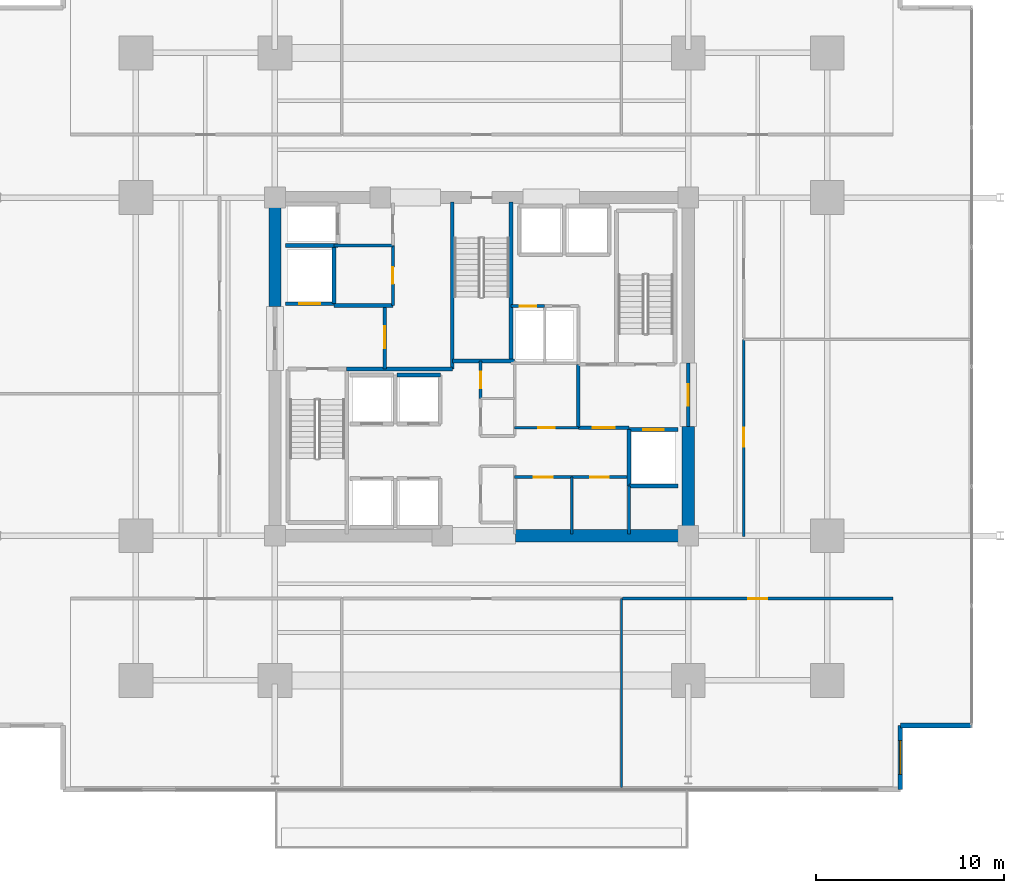
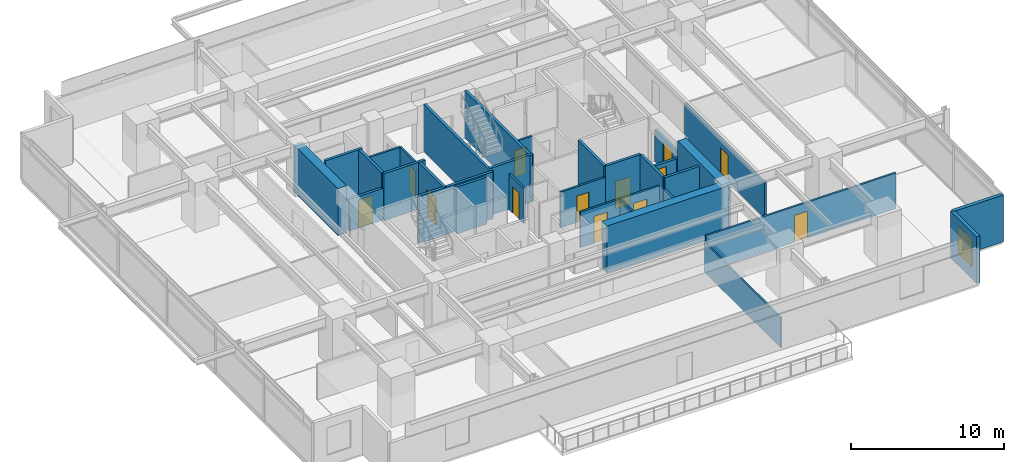
# One storey, part 16 of 22: 33 walls, 13 doors, 1 window, 14 openings.
"""IFC4 building model written with IfcOpenShell, lengths in metres."""

from ifc_helpers import new_model, si_unit, direction, frame, frame_2d, origin, place, context, subcontext, project, spatial, rectangle, extrude, material, layer, layer_set, type_object, element, fill, save


model = new_model("IFC4")

# Units and contexts
model_context = context("Model", 3, precision=1e-05, world=origin(), true_north=direction((0.0, 1.0)))
body_context = subcontext(model_context, "Body", "Model", "MODEL_VIEW")
ifc_project = project(units=[si_unit("LENGTHUNIT", "METRE"), si_unit("AREAUNIT", "SQUARE_METRE"), si_unit("VOLUMEUNIT", "CUBIC_METRE"), si_unit("PLANEANGLEUNIT", "RADIAN"), si_unit("MASSUNIT", "GRAM", prefix="KILO")], contexts=[model_context])

# Site, building, storey
site_placement = place(None, origin())
site = spatial("IfcSite", under=ifc_project, at=site_placement, CompositionType="ELEMENT")
building_placement = place(site_placement, origin())
building = spatial("IfcBuilding", under=site, at=building_placement, Name="Kovane Verandah Tower", CompositionType="ELEMENT")
storey_placement = place(building_placement, frame((0.0, 0.0, 71.60009765625)))
storey = spatial("IfcBuildingStorey", under=building, at=storey_placement, Name="L16", CompositionType="ELEMENT", Elevation=71.60009765625)

# Wall, opening, door
ifc_material_1 = material(Name="Fire-Rated Gypsum Stud Partition", Category="gypsum")
ifc_layer_1 = layer(ifc_material_1, 0.14990234375)
ifc_layer_set_1 = layer_set([ifc_layer_1], Name="Fire-Rated Gypsum Stud Partition")
wall_type_1 = type_object("IfcWallType", Name="WL-COR-150", PredefinedType="PARTITIONING", material=ifc_layer_set_1)
wall_1_placement = place(storey_placement, frame((39.949951171875, 25.800048828125, 0.0), z_axis=(0.0, 0.0, 1.0), x_axis=(0.0, 1.0, 0.0)))
wall_1 = element("IfcWall", 1, at=wall_1_placement, inside=storey, type_object=wall_type_1, Name="L16 Electrical Riser Room Partition", PredefinedType="PARTITIONING", context=body_context, shape_type="SweptSolid", body=[
    extrude(rectangle(XDim=2.0, YDim=0.14990234375, at=frame_2d((1.0, 0.0))), origin(), (0.0, 0.0, 1.0), 2.849853515625),
])
opening_1_placement = place(wall_1_placement, frame((0.56005859375, 0.0, 0.0)))
opening_1 = element("IfcOpeningElement", 2, at=opening_1_placement, cuts=wall_1, Name="Opening DR-L16-025", PredefinedType="OPENING", context=body_context, shape_type="SweptSolid", body=[
    extrude(rectangle(XDim=0.8798828125, YDim=2.10009765625, at=frame_2d((0.43994140625, 1.050048828125))), frame((0.0, 0.074951171875, 0.0), z_axis=(0.0, -1.0, 0.0), x_axis=(1.0, 0.0, 0.0)), (0.0, 0.0, 1.0), 0.14990234375),
])
ifc_material_2 = material(Name="Fire-Rated Steel Riser Access Door", Category="steel")
door_type_1 = type_object("IfcDoorType", Name="DR-RISER-880", OperationType="SINGLE_SWING_LEFT", PredefinedType="DOOR", material=ifc_material_2)
door_1_placement = place(opening_1_placement, origin())
door_1 = element("IfcDoor", 3, at=door_1_placement, inside=storey, type_object=door_type_1, Name="L16 Electrical Riser Room Door", OperationType="SINGLE_SWING_LEFT", OverallHeight=2.10009765625, OverallWidth=0.8798828125, PredefinedType="DOOR", context=body_context, shape_type="SweptSolid", body=[
    extrude(rectangle(XDim=0.8798828125, YDim=2.10009765625, at=frame_2d((0.43994140625, 1.050048828125))), frame((0.0, 0.02490234375, 0.0), z_axis=(0.0, -1.0, 0.0), x_axis=(1.0, 0.0, 0.0)), (0.0, 0.0, 1.0), 0.050048828125),
])
fill(opening_1, door_1)

# Wall
wall_2_placement = place(storey_placement, frame((32.14990234375, 33.949951171875, 0.0), z_axis=(0.0, 0.0, 1.0), x_axis=(1.0, 0.0, 0.0)))
element("IfcWall", 4, at=wall_2_placement, inside=storey, type_object=wall_type_1, Name="L16 Goods Lift Lobby South Wall", PredefinedType="PARTITIONING", context=body_context, shape_type="SweptSolid", body=[
    extrude(rectangle(XDim=3.130126953125, YDim=0.14990234375, at=frame_2d((1.56494140625, 0.0))), origin(), (0.0, 0.0, 1.0), 2.849853515625),
])

# Wall, opening, door
wall_3_placement = place(storey_placement, frame((35.280029296875, 30.75, 0.0), z_axis=(0.0, 0.0, 1.0), x_axis=(0.0, 1.0, 0.0)))
wall_3 = element("IfcWall", 5, at=wall_3_placement, inside=storey, type_object=wall_type_1, Name="L16 Accessible Unisex Toilet Partition", PredefinedType="PARTITIONING", context=body_context, shape_type="SweptSolid", body=[
    extrude(rectangle(XDim=3.199951171875, YDim=0.14990234375, at=frame_2d((1.60009765625, 0.0))), origin(), (0.0, 0.0, 1.0), 2.849853515625),
])
opening_2_placement = place(wall_3_placement, frame((1.14990234375, 0.0, 0.0)))
opening_2 = element("IfcOpeningElement", 6, at=opening_2_placement, cuts=wall_3, Name="Opening DR-L16-026", PredefinedType="OPENING", context=body_context, shape_type="SweptSolid", body=[
    extrude(rectangle(XDim=0.89990234375, YDim=2.10009765625, at=frame_2d((0.449951171875, 1.050048828125))), frame((0.0, 0.074951171875, 0.0), z_axis=(0.0, -1.0, 0.0), x_axis=(1.0, 0.0, 0.0)), (0.0, 0.0, 1.0), 0.14990234375),
])
ifc_material_3 = material(Name="Moisture-Resistant Laminate Washroom Door", Category="wood")
door_type_2 = type_object("IfcDoorType", Name="DR-WC-900", OperationType="SINGLE_SWING_LEFT", PredefinedType="DOOR", material=ifc_material_3)
door_2_placement = place(opening_2_placement, origin())
door_2 = element("IfcDoor", 7, at=door_2_placement, inside=storey, type_object=door_type_2, Name="L16 Accessible Unisex Toilet Door", OperationType="SINGLE_SWING_LEFT", OverallHeight=2.10009765625, OverallWidth=0.89990234375, PredefinedType="DOOR", context=body_context, shape_type="SweptSolid", body=[
    extrude(rectangle(XDim=0.89990234375, YDim=2.10009765625, at=frame_2d((0.449951171875, 1.050048828125))), frame((0.0, 0.02490234375, 0.0), z_axis=(0.0, -1.0, 0.0), x_axis=(1.0, 0.0, 0.0)), (0.0, 0.0, 1.0), 0.050048828125),
])
fill(opening_2, door_2)

# Wall
wall_4_placement = place(storey_placement, frame((47.85009765625, 18.60009765625, 0.0), z_axis=(0.0, 0.0, 1.0), x_axis=(0.0, 1.0, 0.0)))
element("IfcWall", 8, at=wall_4_placement, inside=storey, type_object=wall_type_1, Name="L16 East Core Support East Wall", PredefinedType="PARTITIONING", context=body_context, shape_type="SweptSolid", body=[
    extrude(rectangle(XDim=2.539794921875, YDim=0.14990234375, at=frame_2d((1.27001953125, 0.0))), origin(), (0.0, 0.0, 1.0), 2.849853515625),
])

# Wall, opening, door
wall_5_placement = place(storey_placement, frame((41.760009765625, 21.6201171875, 0.0), z_axis=(0.0, 0.0, 1.0), x_axis=(1.0, 0.0, 0.0)))
wall_5 = element("IfcWall", 9, at=wall_5_placement, inside=storey, type_object=wall_type_1, Name="L16 AV Control Room Partition", PredefinedType="PARTITIONING", context=body_context, shape_type="SweptSolid", body=[
    extrude(rectangle(XDim=3.0400390625, YDim=0.14990234375, at=frame_2d((1.52001953125, 0.0))), origin(), (0.0, 0.0, 1.0), 2.849853515625),
])
opening_3_placement = place(wall_5_placement, frame((1.02001953125, 0.0, 0.0)))
opening_3 = element("IfcOpeningElement", 10, at=opening_3_placement, cuts=wall_5, Name="Opening DR-L16-014", PredefinedType="OPENING", context=body_context, shape_type="SweptSolid", body=[
    extrude(rectangle(XDim=1.0, YDim=2.14990234375, at=frame_2d((0.5, 1.074951171875))), frame((0.0, 0.074951171875, 0.0), z_axis=(0.0, -1.0, 0.0), x_axis=(1.0, 0.0, 0.0)), (0.0, 0.0, 1.0), 0.14990234375),
])
ifc_material_4 = material(Name="FSC Spotted-Gum Timber Fire-Rated Office Door", Category="wood")
door_type_3 = type_object("IfcDoorType", Name="DR-OFF-1000", OperationType="SINGLE_SWING_LEFT", PredefinedType="DOOR", material=ifc_material_4)
door_3_placement = place(opening_3_placement, origin())
door_3 = element("IfcDoor", 11, at=door_3_placement, inside=storey, type_object=door_type_3, Name="L16 AV Control Room Door", OperationType="SINGLE_SWING_RIGHT", OverallHeight=2.14990234375, OverallWidth=1.0, PredefinedType="DOOR", context=body_context, shape_type="SweptSolid", body=[
    extrude(rectangle(XDim=1.0, YDim=2.14990234375, at=frame_2d((0.5, 1.074951171875))), frame((0.0, 0.02490234375, 0.0), z_axis=(0.0, -1.0, 0.0), x_axis=(1.0, 0.0, 0.0)), (0.0, 0.0, 1.0), 0.050048828125),
])
fill(opening_3, door_3)

wall_6_placement = place(storey_placement, frame((44.800048828125, 21.6201171875, 0.0), z_axis=(0.0, 0.0, 1.0), x_axis=(1.0, 0.0, 0.0)))
wall_6 = element("IfcWall", 12, at=wall_6_placement, inside=storey, type_object=wall_type_1, Name="L16 East IT Server Room Partition", PredefinedType="PARTITIONING", context=body_context, shape_type="SweptSolid", body=[
    extrude(rectangle(XDim=2.93994140625, YDim=0.14990234375, at=frame_2d((1.469970703125, 0.0))), origin(), (0.0, 0.0, 1.0), 2.849853515625),
])
opening_4_placement = place(wall_6_placement, frame((0.969970703125, 0.0, 0.0)))
opening_4 = element("IfcOpeningElement", 13, at=opening_4_placement, cuts=wall_6, Name="Opening DR-L16-015", PredefinedType="OPENING", context=body_context, shape_type="SweptSolid", body=[
    extrude(rectangle(XDim=1.0, YDim=2.14990234375, at=frame_2d((0.5, 1.074951171875))), frame((0.0, 0.074951171875, 0.0), z_axis=(0.0, -1.0, 0.0), x_axis=(1.0, 0.0, 0.0)), (0.0, 0.0, 1.0), 0.14990234375),
])
door_4_placement = place(opening_4_placement, origin())
door_4 = element("IfcDoor", 14, at=door_4_placement, inside=storey, type_object=door_type_3, Name="L16 East IT Server Room Door", OperationType="SINGLE_SWING_LEFT", OverallHeight=2.14990234375, OverallWidth=1.0, PredefinedType="DOOR", context=body_context, shape_type="SweptSolid", body=[
    extrude(rectangle(XDim=1.0, YDim=2.14990234375, at=frame_2d((0.5, 1.074951171875))), frame((0.0, 0.02490234375, 0.0), z_axis=(0.0, -1.0, 0.0), x_axis=(1.0, 0.0, 0.0)), (0.0, 0.0, 1.0), 0.050048828125),
])
fill(opening_4, door_4)

wall_7_placement = place(storey_placement, frame((41.760009765625, 24.25, 0.0), z_axis=(0.0, 0.0, 1.0), x_axis=(1.0, 0.0, 0.0)))
wall_7 = element("IfcWall", 15, at=wall_7_placement, inside=storey, type_object=wall_type_1, Name="L16 Cleaner Store Partition", PredefinedType="PARTITIONING", context=body_context, shape_type="SweptSolid", body=[
    extrude(rectangle(XDim=3.389892578125, YDim=0.14990234375, at=frame_2d((1.69482421875, 0.0))), origin(), (0.0, 0.0, 1.0), 2.849853515625),
])
opening_5_placement = place(wall_7_placement, frame((1.2548828125, 0.0, 0.0)))
opening_5 = element("IfcOpeningElement", 16, at=opening_5_placement, cuts=wall_7, Name="Opening DR-L16-016", PredefinedType="OPENING", context=body_context, shape_type="SweptSolid", body=[
    extrude(rectangle(XDim=0.8798828125, YDim=2.10009765625, at=frame_2d((0.43994140625, 1.050048828125))), frame((0.0, 0.074951171875, 0.0), z_axis=(0.0, -1.0, 0.0), x_axis=(1.0, 0.0, 0.0)), (0.0, 0.0, 1.0), 0.14990234375),
])
door_5_placement = place(opening_5_placement, origin())
door_5 = element("IfcDoor", 17, at=door_5_placement, inside=storey, type_object=door_type_1, Name="L16 Cleaner Store Door", OperationType="SINGLE_SWING_RIGHT", OverallHeight=2.10009765625, OverallWidth=0.8798828125, PredefinedType="DOOR", context=body_context, shape_type="SweptSolid", body=[
    extrude(rectangle(XDim=0.8798828125, YDim=2.10009765625, at=frame_2d((0.43994140625, 1.050048828125))), frame((0.0, 0.02490234375, 0.0), z_axis=(0.0, -1.0, 0.0), x_axis=(1.0, 0.0, 0.0)), (0.0, 0.0, 1.0), 0.050048828125),
])
fill(opening_5, door_5)

wall_8_placement = place(storey_placement, frame((41.56005859375, 30.719970703125, 0.0), z_axis=(0.0, 0.0, 1.0), x_axis=(1.0, 0.0, 0.0)))
wall_8 = element("IfcWall", 18, at=wall_8_placement, inside=storey, type_object=wall_type_1, Name="L16 Chilled Water Riser Room Partition", PredefinedType="PARTITIONING", context=body_context, shape_type="SweptSolid", body=[
    extrude(rectangle(XDim=1.800048828125, YDim=0.14990234375, at=frame_2d((0.89990234375, 0.0))), origin(), (0.0, 0.0, 1.0), 2.849853515625),
])
opening_6_placement = place(wall_8_placement, frame((0.4599609375, 0.0, 0.0)))
opening_6 = element("IfcOpeningElement", 19, at=opening_6_placement, cuts=wall_8, Name="Opening DR-L16-017", PredefinedType="OPENING", context=body_context, shape_type="SweptSolid", body=[
    extrude(rectangle(XDim=0.8798828125, YDim=2.10009765625, at=frame_2d((0.43994140625, 1.050048828125))), frame((0.0, 0.074951171875, 0.0), z_axis=(0.0, -1.0, 0.0), x_axis=(1.0, 0.0, 0.0)), (0.0, 0.0, 1.0), 0.14990234375),
])
door_6_placement = place(opening_6_placement, origin())
door_6 = element("IfcDoor", 20, at=door_6_placement, inside=storey, type_object=door_type_1, Name="L16 Chilled Water Riser Room Door", OperationType="SINGLE_SWING_LEFT", OverallHeight=2.10009765625, OverallWidth=0.8798828125, PredefinedType="DOOR", context=body_context, shape_type="SweptSolid", body=[
    extrude(rectangle(XDim=0.8798828125, YDim=2.10009765625, at=frame_2d((0.43994140625, 1.050048828125))), frame((0.0, 0.02490234375, 0.0), z_axis=(0.0, -1.0, 0.0), x_axis=(1.0, 0.0, 0.0)), (0.0, 0.0, 1.0), 0.050048828125),
])
fill(opening_6, door_6)

wall_9_placement = place(storey_placement, frame((47.511474609375, 15.14990234375, 0.0), z_axis=(0.0, 0.0, 1.0), x_axis=(1.0, 0.0, 0.0)))
wall_9 = element("IfcWall", 21, at=wall_9_placement, inside=storey, type_object=wall_type_1, Name="L16 Open Plan Office S3 Corridor Partition", PredefinedType="PARTITIONING", context=body_context, shape_type="SweptSolid", body=[
    extrude(rectangle(XDim=14.375, YDim=0.14990234375, at=frame_2d((7.1875, 0.0))), origin(), (0.0, 0.0, 1.0), 2.849853515625),
])
opening_7_placement = place(wall_9_placement, frame((6.6875, 0.0, 0.0)))
opening_7 = element("IfcOpeningElement", 22, at=opening_7_placement, cuts=wall_9, Name="Opening DR-L16-024", PredefinedType="OPENING", context=body_context, shape_type="SweptSolid", body=[
    extrude(rectangle(XDim=1.0, YDim=2.14990234375, at=frame_2d((0.5, 1.074951171875))), frame((0.0, 0.074951171875, 0.0), z_axis=(0.0, -1.0, 0.0), x_axis=(1.0, 0.0, 0.0)), (0.0, 0.0, 1.0), 0.14990234375),
])
door_7_placement = place(opening_7_placement, origin())
door_7 = element("IfcDoor", 23, at=door_7_placement, inside=storey, type_object=door_type_3, Name="L16 Open Plan Office S3 Entrance Door", OperationType="SINGLE_SWING_RIGHT", OverallHeight=2.14990234375, OverallWidth=1.0, PredefinedType="DOOR", context=body_context, shape_type="SweptSolid", body=[
    extrude(rectangle(XDim=1.0, YDim=2.14990234375, at=frame_2d((0.5, 1.074951171875))), frame((0.0, 0.02490234375, 0.0), z_axis=(0.0, -1.0, 0.0), x_axis=(1.0, 0.0, 0.0)), (0.0, 0.0, 1.0), 0.050048828125),
])
fill(opening_7, door_7)

wall_10_placement = place(storey_placement, frame((53.949951171875, 18.449951171875, 0.0), z_axis=(0.0, 0.0, 1.0), x_axis=(0.0, 1.0, 0.0)))
wall_10 = element("IfcWall", 24, at=wall_10_placement, inside=storey, type_object=wall_type_1, Name="L16 Meeting Room E1 Corridor Partition", PredefinedType="PARTITIONING", context=body_context, shape_type="SweptSolid", body=[
    extrude(rectangle(XDim=10.498046875, YDim=0.14990234375, at=frame_2d((5.2490234375, 0.0))), origin(), (0.0, 0.0, 1.0), 2.849853515625),
])
opening_8_placement = place(wall_10_placement, frame((4.7890625, 0.0, 0.0)))
opening_8 = element("IfcOpeningElement", 25, at=opening_8_placement, cuts=wall_10, Name="Opening DR-L16-012", PredefinedType="OPENING", context=body_context, shape_type="SweptSolid", body=[
    extrude(rectangle(XDim=1.0, YDim=2.14990234375, at=frame_2d((0.5, 1.074951171875))), frame((0.0, 0.074951171875, 0.0), z_axis=(0.0, -1.0, 0.0), x_axis=(1.0, 0.0, 0.0)), (0.0, 0.0, 1.0), 0.14990234375),
])
door_8_placement = place(opening_8_placement, origin())
door_8 = element("IfcDoor", 26, at=door_8_placement, inside=storey, type_object=door_type_3, Name="L16 Meeting Room E1 Entrance Door", OperationType="SINGLE_SWING_LEFT", OverallHeight=2.14990234375, OverallWidth=1.0, PredefinedType="DOOR", context=body_context, shape_type="SweptSolid", body=[
    extrude(rectangle(XDim=1.0, YDim=2.14990234375, at=frame_2d((0.5, 1.074951171875))), frame((0.0, 0.02490234375, 0.0), z_axis=(0.0, -1.0, 0.0), x_axis=(1.0, 0.0, 0.0)), (0.0, 0.0, 1.0), 0.050048828125),
])
fill(opening_8, door_8)

# Walls
ifc_material_5 = material(Name="Concrete C80/95", Category="concrete")
ifc_layer_2 = layer(ifc_material_5, 0.64990234375)
ifc_layer_set_2 = layer_set([ifc_layer_2], Name="Concrete C80/95")
wall_type_2 = type_object("IfcWallType", Name="WL-CORE-650", PredefinedType="SHEAR", material=ifc_layer_set_2)
wall_11_placement = place(storey_placement, frame((41.800048828125, 18.5, 0.0), z_axis=(0.0, 0.0, 1.0), x_axis=(1.0, 0.0, 0.0)))
element("IfcWall", 27, at=wall_11_placement, inside=storey, type_object=wall_type_2, Name="L16 Core Shear Wall CS-2", PredefinedType="SHEAR", context=body_context, shape_type="SweptSolid", body=[
    extrude(rectangle(XDim=9.199951171875, YDim=0.64990234375, at=frame_2d((4.60009765625, 0.0))), origin(), (0.0, 0.0, 1.0), 3.760009765625),
])
for number, where, z_axis, x_axis, name in (
    (28, (29.0, 30.699951171875, 0.0), (0.0, 0.0, 1.0), (0.0, 1.0, 0.0), "L16 Core Shear Wall CW-2"),
    (29, (51.0, 18.5, 0.0), (0.0, 0.0, 1.0), (0.0, 1.0, 0.0), "L16 Core Shear Wall CE-1"),
):
    element("IfcWall", number, at=place(storey_placement, frame(where, z_axis=z_axis, x_axis=x_axis)), inside=storey, type_object=wall_type_2, Name=name, PredefinedType="SHEAR", context=body_context, shape_type="SweptSolid", body=[
        extrude(rectangle(XDim=5.800048828125, YDim=0.64990234375, at=frame_2d((2.89990234375, 0.0))), origin(), (0.0, 0.0, 1.0), 3.760009765625),
    ])

# Wall, opening, door
ifc_material_6 = material(Name="Concrete C45/55 Fire Wall", Category="concrete")
ifc_layer_3 = layer(ifc_material_6, 0.199951171875)
ifc_layer_set_3 = layer_set([ifc_layer_3], Name="Concrete C45/55 Fire Wall")
wall_type_3 = type_object("IfcWallType", Name="WL-FFL-200", PredefinedType="PARTITIONING", material=ifc_layer_set_3)
wall_12_placement = place(storey_placement, frame((34.85009765625, 27.3798828125, 0.0), z_axis=(0.0, 0.0, 1.0), x_axis=(0.0, 1.0, 0.0)))
wall_12 = element("IfcWall", 30, at=wall_12_placement, inside=storey, type_object=wall_type_3, Name="W-L16-FFLW-E", PredefinedType="PARTITIONING", context=body_context, shape_type="SweptSolid", body=[
    extrude(rectangle(XDim=3.3701171875, YDim=0.199951171875, at=frame_2d((1.68505859375, 0.0))), origin(), (0.0, 0.0, 1.0), 3.760009765625),
])
opening_9_placement = place(wall_12_placement, frame((1.110107421875, 0.0, 0.0)))
opening_9 = element("IfcOpeningElement", 31, at=opening_9_placement, cuts=wall_12, Name="Opening DR-L16-006", PredefinedType="OPENING", context=body_context, shape_type="SweptSolid", body=[
    extrude(rectangle(XDim=1.14990234375, YDim=2.199951171875, at=frame_2d((0.574951171875, 1.10009765625))), frame((0.0, 0.10009765625, 0.0), z_axis=(0.0, -1.0, 0.0), x_axis=(1.0, 0.0, 0.0)), (0.0, 0.0, 1.0), 0.199951171875),
])
ifc_material_7 = material(Name="Smoke-Sealed Firefighting Lobby Door", Category="steel")
door_type_4 = type_object("IfcDoorType", Name="DR-FFL-1150", OperationType="SINGLE_SWING_LEFT", PredefinedType="DOOR", material=ifc_material_7)
door_9_placement = place(opening_9_placement, origin())
door_9 = element("IfcDoor", 32, at=door_9_placement, inside=storey, type_object=door_type_4, Name="L16 West Firefighting Lobby Inner Door", OperationType="SINGLE_SWING_LEFT", OverallHeight=2.199951171875, OverallWidth=1.14990234375, PredefinedType="DOOR", context=body_context, shape_type="SweptSolid", body=[
    extrude(rectangle(XDim=1.14990234375, YDim=2.199951171875, at=frame_2d((0.574951171875, 1.10009765625))), frame((0.0, 0.02490234375, 0.0), z_axis=(0.0, -1.0, 0.0), x_axis=(1.0, 0.0, 0.0)), (0.0, 0.0, 1.0), 0.050048828125),
])
fill(opening_9, door_9)

# Walls
wall_13_placement = place(storey_placement, frame((32.820068359375, 27.3798828125, 0.0), z_axis=(0.0, 0.0, 1.0), x_axis=(1.0, 0.0, 0.0)))
element("IfcWall", 33, at=wall_13_placement, inside=storey, type_object=wall_type_3, Name="L16 West Firefighting Lobby South Fire Wall", PredefinedType="PARTITIONING", context=body_context, shape_type="SweptSolid", body=[
    extrude(rectangle(XDim=5.619873046875, YDim=0.199951171875, at=frame_2d((2.81005859375, 0.0))), origin(), (0.0, 0.0, 1.0), 3.760009765625),
])
wall_14_placement = place(storey_placement, frame((32.14990234375, 30.75, 0.0), z_axis=(0.0, 0.0, 1.0), x_axis=(1.0, 0.0, 0.0)))
element("IfcWall", 34, at=wall_14_placement, inside=storey, type_object=wall_type_3, Name="L16 West Firefighting Lobby North Fire Wall", PredefinedType="PARTITIONING", context=body_context, shape_type="SweptSolid", body=[
    extrude(rectangle(XDim=3.130126953125, YDim=0.199951171875, at=frame_2d((1.56494140625, 0.0))), origin(), (0.0, 0.0, 1.0), 3.760009765625),
])
wall_15_placement = place(storey_placement, frame((45.14990234375, 24.25, 0.0), z_axis=(0.0, 0.0, 1.0), x_axis=(0.0, 1.0, 0.0)))
element("IfcWall", 35, at=wall_15_placement, inside=storey, type_object=wall_type_3, Name="L16 East Firefighting Lobby West Fire Wall", PredefinedType="PARTITIONING", context=body_context, shape_type="SweptSolid", body=[
    extrude(rectangle(XDim=3.3701171875, YDim=0.199951171875, at=frame_2d((1.68505859375, 0.0))), origin(), (0.0, 0.0, 1.0), 3.760009765625),
])

# Wall, opening, door
wall_16_placement = place(storey_placement, frame((45.14990234375, 24.25, 0.0), z_axis=(0.0, 0.0, 1.0), x_axis=(1.0, 0.0, 0.0)))
wall_16 = element("IfcWall", 36, at=wall_16_placement, inside=storey, type_object=wall_type_3, Name="W-L16-FFLE-S", PredefinedType="PARTITIONING", context=body_context, shape_type="SweptSolid", body=[
    extrude(rectangle(XDim=2.7001953125, YDim=0.199951171875, at=frame_2d((1.35009765625, 0.0))), origin(), (0.0, 0.0, 1.0), 3.760009765625),
])
opening_10_placement = place(wall_16_placement, frame((0.77490234375, 0.0, 0.0)))
opening_10 = element("IfcOpeningElement", 37, at=opening_10_placement, cuts=wall_16, Name="Opening DR-L16-003", PredefinedType="OPENING", context=body_context, shape_type="SweptSolid", body=[
    extrude(rectangle(XDim=1.14990234375, YDim=2.199951171875, at=frame_2d((0.574951171875, 1.10009765625))), frame((0.0, 0.10009765625, 0.0), z_axis=(0.0, -1.0, 0.0), x_axis=(1.0, 0.0, 0.0)), (0.0, 0.0, 1.0), 0.199951171875),
])
door_10_placement = place(opening_10_placement, origin())
door_10 = element("IfcDoor", 38, at=door_10_placement, inside=storey, type_object=door_type_4, Name="L16 East Firefighting Lobby Inner Door", OperationType="SINGLE_SWING_RIGHT", OverallHeight=2.199951171875, OverallWidth=1.14990234375, PredefinedType="DOOR", context=body_context, shape_type="SweptSolid", body=[
    extrude(rectangle(XDim=1.14990234375, YDim=2.199951171875, at=frame_2d((0.574951171875, 1.10009765625))), frame((0.0, 0.02490234375, 0.0), z_axis=(0.0, -1.0, 0.0), x_axis=(1.0, 0.0, 0.0)), (0.0, 0.0, 1.0), 0.050048828125),
])
fill(opening_10, door_10)

wall_17_placement = place(storey_placement, frame((51.0, 24.300048828125, 0.0), z_axis=(0.0, 0.0, 1.0), x_axis=(0.0, 1.0, 0.0)))
wall_17 = element("IfcWall", 39, at=wall_17_placement, inside=storey, type_object=wall_type_3, Name="W-L16-FFLE-OUT", PredefinedType="PARTITIONING", context=body_context, shape_type="SweptSolid", body=[
    extrude(rectangle(XDim=3.39990234375, YDim=0.199951171875, at=frame_2d((1.699951171875, 0.0))), origin(), (0.0, 0.0, 1.0), 2.539794921875),
])
opening_11_placement = place(wall_17_placement, frame((1.125, 0.0, 0.0)))
opening_11 = element("IfcOpeningElement", 40, at=opening_11_placement, cuts=wall_17, Name="Opening DR-L16-005", PredefinedType="OPENING", context=body_context, shape_type="SweptSolid", body=[
    extrude(rectangle(XDim=1.14990234375, YDim=2.199951171875, at=frame_2d((0.574951171875, 1.10009765625))), frame((0.0, 0.10009765625, 0.0), z_axis=(0.0, -1.0, 0.0), x_axis=(1.0, 0.0, 0.0)), (0.0, 0.0, 1.0), 0.199951171875),
])
door_11_placement = place(opening_11_placement, origin())
door_11 = element("IfcDoor", 41, at=door_11_placement, inside=storey, type_object=door_type_4, Name="L16 East Firefighting Lobby Corridor Door", OperationType="SINGLE_SWING_LEFT", OverallHeight=2.199951171875, OverallWidth=1.14990234375, PredefinedType="DOOR", context=body_context, shape_type="SweptSolid", body=[
    extrude(rectangle(XDim=1.14990234375, YDim=2.199951171875, at=frame_2d((0.574951171875, 1.10009765625))), frame((0.0, 0.02490234375, 0.0), z_axis=(0.0, -1.0, 0.0), x_axis=(1.0, 0.0, 0.0)), (0.0, 0.0, 1.0), 0.050048828125),
])
fill(opening_11, door_11)

ifc_material_8 = material(Name="Concrete C45/55 Lift Shaft Wall", Category="concrete")
ifc_layer_4 = layer(ifc_material_8, 0.199951171875)
ifc_layer_set_4 = layer_set([ifc_layer_4], Name="Concrete C45/55 Lift Shaft Wall")
wall_type_4 = type_object("IfcWallType", Name="WL-LIFT-200", PredefinedType="SOLIDWALL", material=ifc_layer_set_4)
wall_18_placement = place(storey_placement, frame((29.550048828125, 30.85009765625, 0.0), z_axis=(0.0, 0.0, 1.0), x_axis=(1.0, 0.0, 0.0)))
wall_18 = element("IfcWall", 42, at=wall_18_placement, inside=storey, type_object=wall_type_4, Name="L16 Lift FL-01 S Shaft Wall", PredefinedType="SOLIDWALL", context=body_context, shape_type="SweptSolid", body=[
    extrude(rectangle(XDim=2.599853515625, YDim=0.199951171875, at=frame_2d((1.2998046875, 0.0))), origin(), (0.0, 0.0, 1.0), 2.539794921875),
])
opening_12_placement = place(wall_18_placement, frame((0.75, 0.0, 0.0)))
opening_12 = element("IfcOpeningElement", 43, at=opening_12_placement, cuts=wall_18, Name="Opening LD-L16-001", PredefinedType="OPENING", context=body_context, shape_type="SweptSolid", body=[
    extrude(rectangle(XDim=1.10009765625, YDim=2.199951171875, at=frame_2d((0.550048828125, 1.10009765625))), frame((0.0, 0.10009765625, 0.0), z_axis=(0.0, -1.0, 0.0), x_axis=(1.0, 0.0, 0.0)), (0.0, 0.0, 1.0), 0.199951171875),
])
ifc_material_9 = material(Name="Brushed Stainless Steel Sliding Lift Landing Door", Category="steel")
door_type_5 = type_object("IfcDoorType", Name="DR-LIFT-1100", OperationType="SLIDING_TO_RIGHT", PredefinedType="DOOR", material=ifc_material_9)
door_12_placement = place(opening_12_placement, origin())
door_12 = element("IfcDoor", 44, at=door_12_placement, inside=storey, type_object=door_type_5, Name="L16 Lift FL-01 Sliding Landing Door", OperationType="SLIDING_TO_RIGHT", OverallHeight=2.199951171875, OverallWidth=1.10009765625, PredefinedType="DOOR", context=body_context, shape_type="SweptSolid", body=[
    extrude(rectangle(XDim=1.10009765625, YDim=2.199951171875, at=frame_2d((0.550048828125, 1.10009765625))), frame((0.0, 0.02490234375, 0.0), z_axis=(0.0, -1.0, 0.0), x_axis=(1.0, 0.0, 0.0)), (0.0, 0.0, 1.0), 0.050048828125),
])
fill(opening_12, door_12)

# Walls
wall_19_placement = place(storey_placement, frame((29.550048828125, 33.949951171875, 0.0), z_axis=(0.0, 0.0, 1.0), x_axis=(1.0, 0.0, 0.0)))
element("IfcWall", 45, at=wall_19_placement, inside=storey, type_object=wall_type_4, Name="L16 Lift FL-01 and GL-01 Shared Shaft Wall", PredefinedType="SOLIDWALL", context=body_context, shape_type="SweptSolid", body=[
    extrude(rectangle(XDim=2.800048828125, YDim=0.199951171875, at=frame_2d((1.39990234375, 0.0))), origin(), (0.0, 0.0, 1.0), 3.760009765625),
])
wall_20_placement = place(storey_placement, frame((32.14990234375, 30.85009765625, 0.0), z_axis=(0.0, 0.0, 1.0), x_axis=(0.0, 1.0, 0.0)))
element("IfcWall", 46, at=wall_20_placement, inside=storey, type_object=wall_type_4, Name="L16 Lift FL-01 E Shaft Wall", PredefinedType="SOLIDWALL", context=body_context, shape_type="SweptSolid", body=[
    extrude(rectangle(XDim=3.0, YDim=0.199951171875, at=frame_2d((1.5, 0.0))), origin(), (0.0, 0.0, 1.0), 3.760009765625),
])
wall_21_placement = place(storey_placement, frame((47.85009765625, 21.14990234375, 0.0), z_axis=(0.0, 0.0, 1.0), x_axis=(1.0, 0.0, 0.0)))
element("IfcWall", 47, at=wall_21_placement, inside=storey, type_object=wall_type_4, Name="L16 Lift FL-02 S Shaft Wall", PredefinedType="SOLIDWALL", context=body_context, shape_type="SweptSolid", body=[
    extrude(rectangle(XDim=2.599853515625, YDim=0.199951171875, at=frame_2d((1.2998046875, 0.0))), origin(), (0.0, 0.0, 1.0), 3.760009765625),
])

# Wall, opening, door
wall_22_placement = place(storey_placement, frame((50.449951171875, 24.14990234375, 0.0), z_axis=(0.0, 0.0, 1.0), x_axis=(-1.0, 0.0, 0.0)))
wall_22 = element("IfcWall", 48, at=wall_22_placement, inside=storey, type_object=wall_type_4, Name="L16 Lift FL-02 N Shaft Wall", PredefinedType="SOLIDWALL", context=body_context, shape_type="SweptSolid", body=[
    extrude(rectangle(XDim=2.599853515625, YDim=0.199951171875, at=frame_2d((1.2998046875, 0.0))), origin(), (0.0, 0.0, 1.0), 2.539794921875),
])
opening_13_placement = place(wall_22_placement, frame((0.75, 0.0, 0.0)))
opening_13 = element("IfcOpeningElement", 49, at=opening_13_placement, cuts=wall_22, Name="Opening LD-L16-002", PredefinedType="OPENING", context=body_context, shape_type="SweptSolid", body=[
    extrude(rectangle(XDim=1.10009765625, YDim=2.199951171875, at=frame_2d((0.550048828125, 1.10009765625))), frame((0.0, 0.10009765625, 0.0), z_axis=(0.0, -1.0, 0.0), x_axis=(1.0, 0.0, 0.0)), (0.0, 0.0, 1.0), 0.199951171875),
])
door_13_placement = place(opening_13_placement, origin())
door_13 = element("IfcDoor", 50, at=door_13_placement, inside=storey, type_object=door_type_5, Name="L16 Lift FL-02 Sliding Landing Door", OperationType="SLIDING_TO_RIGHT", OverallHeight=2.199951171875, OverallWidth=1.10009765625, PredefinedType="DOOR", context=body_context, shape_type="SweptSolid", body=[
    extrude(rectangle(XDim=1.10009765625, YDim=2.199951171875, at=frame_2d((0.550048828125, 1.10009765625))), frame((0.0, 0.02490234375, 0.0), z_axis=(0.0, -1.0, 0.0), x_axis=(1.0, 0.0, 0.0)), (0.0, 0.0, 1.0), 0.050048828125),
])
fill(opening_13, door_13)

# Walls
wall_23_placement = place(storey_placement, frame((47.85009765625, 24.14990234375, 0.0), z_axis=(0.0, 0.0, 1.0), x_axis=(0.0, -1.0, 0.0)))
element("IfcWall", 51, at=wall_23_placement, inside=storey, type_object=wall_type_4, Name="L16 Lift FL-02 W Shaft Wall", PredefinedType="SOLIDWALL", context=body_context, shape_type="SweptSolid", body=[
    extrude(rectangle(XDim=3.0, YDim=0.199951171875, at=frame_2d((1.5, 0.0))), origin(), (0.0, 0.0, 1.0), 3.760009765625),
])
wall_24_placement = place(storey_placement, frame((37.800048828125, 27.050048828125, 0.0), z_axis=(0.0, 0.0, 1.0), x_axis=(-1.0, 0.0, 0.0)))
element("IfcWall", 52, at=wall_24_placement, inside=storey, type_object=wall_type_4, Name="L16 Lift PL-L4 N Shaft Wall", PredefinedType="SOLIDWALL", context=body_context, shape_type="SweptSolid", body=[
    extrude(rectangle(XDim=2.300048828125, YDim=0.199951171875, at=frame_2d((1.14990234375, 0.0))), origin(), (0.0, 0.0, 1.0), 3.760009765625),
])
ifc_material_10 = material(Name="Acoustic Fire-Rated Gypsum Partition", Category="gypsum")
ifc_layer_5 = layer(ifc_material_10, 0.1201171875)
ifc_layer_set_5 = layer_set([ifc_layer_5], Name="Acoustic Fire-Rated Gypsum Partition")
wall_type_5 = type_object("IfcWallType", Name="WL-PART-120", PredefinedType="PARTITIONING", material=ifc_layer_set_5)
wall_25_placement = place(storey_placement, frame((44.800048828125, 18.60009765625, 0.0), z_axis=(0.0, 0.0, 1.0), x_axis=(0.0, 1.0, 0.0)))
element("IfcWall", 53, at=wall_25_placement, inside=storey, type_object=wall_type_5, Name="L16 East Core Support Dividing Partition", PredefinedType="PARTITIONING", context=body_context, shape_type="SweptSolid", body=[
    extrude(rectangle(XDim=3.02001953125, YDim=0.1201171875, at=frame_2d((1.510009765625, 0.0))), origin(), (0.0, 0.0, 1.0), 2.849853515625),
])
wall_26_placement = place(storey_placement, frame((47.44140625, 5.099609375, 0.0), z_axis=(0.0, 0.0, 1.0), x_axis=(0.0, 1.0, 0.0)))
element("IfcWall", 54, at=wall_26_placement, inside=storey, type_object=wall_type_5, Name="L16 Document and Print Room S2 Dividing Partition", PredefinedType="PARTITIONING", context=body_context, shape_type="SweptSolid", body=[
    extrude(rectangle(XDim=10.05029296875, YDim=0.1201171875, at=frame_2d((5.025146484375, 0.0))), origin(), (0.0, 0.0, 1.0), 2.389892578125),
])
ifc_material_11 = material(Name="Concrete C45/55", Category="concrete")
ifc_layer_6 = layer(ifc_material_11, 0.199951171875)
ifc_layer_set_6 = layer_set([ifc_layer_6], Name="Concrete C45/55")
wall_type_6 = type_object("IfcWallType", Name="WL-SHAFT-200", PredefinedType="SOLIDWALL", material=ifc_layer_set_6)
wall_27_placement = place(storey_placement, frame((38.43994140625, 27.3798828125, 0.0), z_axis=(0.0, 0.0, 1.0), x_axis=(0.0, 1.0, 0.0)))
element("IfcWall", 55, at=wall_27_placement, inside=storey, type_object=wall_type_6, Name="W-L16-ST03-W", PredefinedType="SOLIDWALL", context=body_context, shape_type="SweptSolid", body=[
    extrude(rectangle(XDim=8.8701171875, YDim=0.199951171875, at=frame_2d((4.43505859375, 0.0))), origin(), (0.0, 0.0, 1.0), 3.760009765625),
])
wall_28_placement = place(storey_placement, frame((41.56005859375, 27.679931640625, 0.0), z_axis=(0.0, 0.0, 1.0), x_axis=(0.0, 1.0, 0.0)))
element("IfcWall", 56, at=wall_28_placement, inside=storey, type_object=wall_type_6, Name="W-L16-ST03-E", PredefinedType="SOLIDWALL", context=body_context, shape_type="SweptSolid", body=[
    extrude(rectangle(XDim=8.570068359375, YDim=0.199951171875, at=frame_2d((4.28515625, 0.0))), origin(), (0.0, 0.0, 1.0), 3.760009765625),
])
wall_29_placement = place(storey_placement, frame((38.43994140625, 27.800048828125, 0.0), z_axis=(0.0, 0.0, 1.0), x_axis=(1.0, 0.0, 0.0)))
element("IfcWall", 57, at=wall_29_placement, inside=storey, type_object=wall_type_6, Name="W-L16-ST03-S", PredefinedType="SOLIDWALL", context=body_context, shape_type="SweptSolid", body=[
    extrude(rectangle(XDim=3.320068359375, YDim=0.199951171875, at=frame_2d((1.66015625, 0.0))), origin(), (0.0, 0.0, 1.0), 3.760009765625),
])

# Wall, opening, window
ifc_material_12 = material(Name="Concrete C45/55 Insulated Spandrel Wall", Category="concrete")
ifc_layer_7 = layer(ifc_material_12, 0.260009765625)
ifc_layer_set_7 = layer_set([ifc_layer_7], Name="Concrete C45/55 Insulated Spandrel Wall")
wall_type_7 = type_object("IfcWallType", Name="WL-SPANDREL-260", PredefinedType="PARAPET", material=ifc_layer_set_7)
wall_30_placement = place(storey_placement, frame((62.286376953125, 4.99951171875, 0.0), z_axis=(0.0, 0.0, 1.0), x_axis=(0.0, 1.0, 0.0)))
wall_30 = element("IfcWall", 58, at=wall_30_placement, inside=storey, type_object=wall_type_7, Name="L16 SE Notch Cheek Wall 1", PredefinedType="PARAPET", context=body_context, shape_type="SweptSolid", body=[
    extrude(rectangle(XDim=3.39990234375, YDim=0.260009765625, at=frame_2d((1.699951171875, 0.0))), origin(), (0.0, 0.0, 1.0), 3.760009765625),
])
opening_14_placement = place(wall_30_placement, frame((0.800048828125, 0.0, 0.85009765625)))
opening_14 = element("IfcOpeningElement", 59, at=opening_14_placement, cuts=wall_30, Name="Opening W-03", PredefinedType="OPENING", context=body_context, shape_type="SweptSolid", body=[
    extrude(rectangle(XDim=1.800048828125, YDim=2.199951171875, at=frame_2d((0.89990234375, 1.10009765625))), frame((0.0, 0.1298828125, 0.0), z_axis=(0.0, -1.0, 0.0), x_axis=(1.0, 0.0, 0.0)), (0.0, 0.0, 1.0), 0.260009765625),
])
ifc_material_13 = material(Name="Clear Low-E Laminated Double Glazing in Anodised Frame", Category="glass")
window_type = type_object("IfcWindowType", Name="WN-NOTCH-1800x2200", PartitioningType="SINGLE_PANEL", PredefinedType="WINDOW", material=ifc_material_13)
window_placement = place(opening_14_placement, origin())
window = element("IfcWindow", 60, at=window_placement, inside=storey, type_object=window_type, Name="L16 SE Re-Entrant Corner Operable Window", OverallHeight=2.199951171875, OverallWidth=1.800048828125, PartitioningType="SINGLE_PANEL", PredefinedType="WINDOW", context=body_context, shape_type="SweptSolid", body=[
    extrude(rectangle(XDim=1.800048828125, YDim=2.199951171875, at=frame_2d((0.89990234375, 1.10009765625))), frame((0.0, 0.030029296875, 0.0), z_axis=(0.0, -1.0, 0.0), x_axis=(1.0, 0.0, 0.0)), (0.0, 0.0, 1.0), 0.06005859375),
])
fill(opening_14, window)

# Wall
wall_31_placement = place(storey_placement, frame((62.286376953125, 8.3994140625, 0.0), z_axis=(0.0, 0.0, 1.0), x_axis=(1.0, 0.0, 0.0)))
element("IfcWall", 61, at=wall_31_placement, inside=storey, type_object=wall_type_7, Name="L16 SE Notch Cheek Wall 2", PredefinedType="PARAPET", context=body_context, shape_type="SweptSolid", body=[
    extrude(rectangle(XDim=3.800048828125, YDim=0.260009765625, at=frame_2d((1.89990234375, 0.0))), origin(), (0.0, 0.0, 1.0), 3.760009765625),
])

save(model, "model.ifc")
